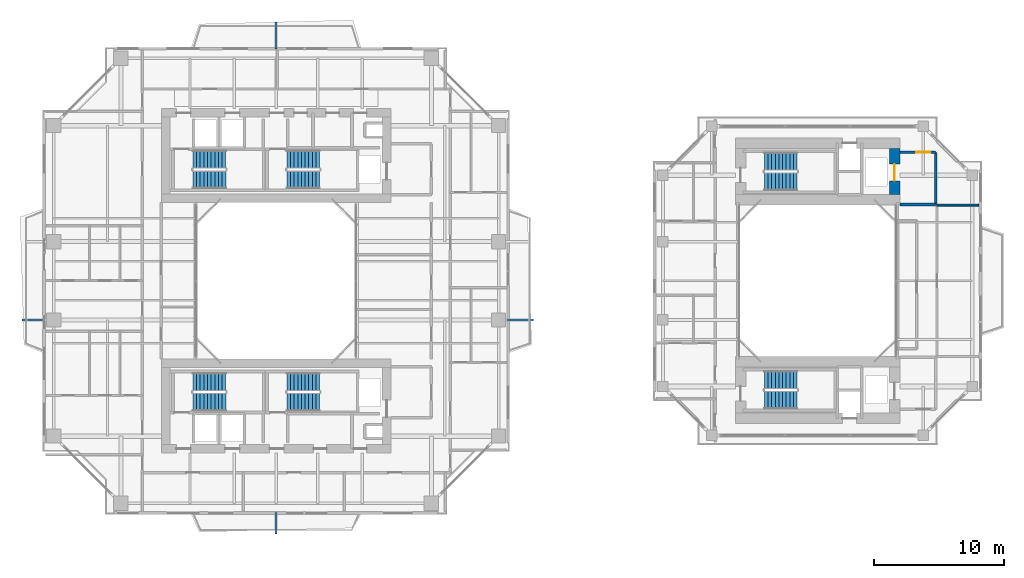
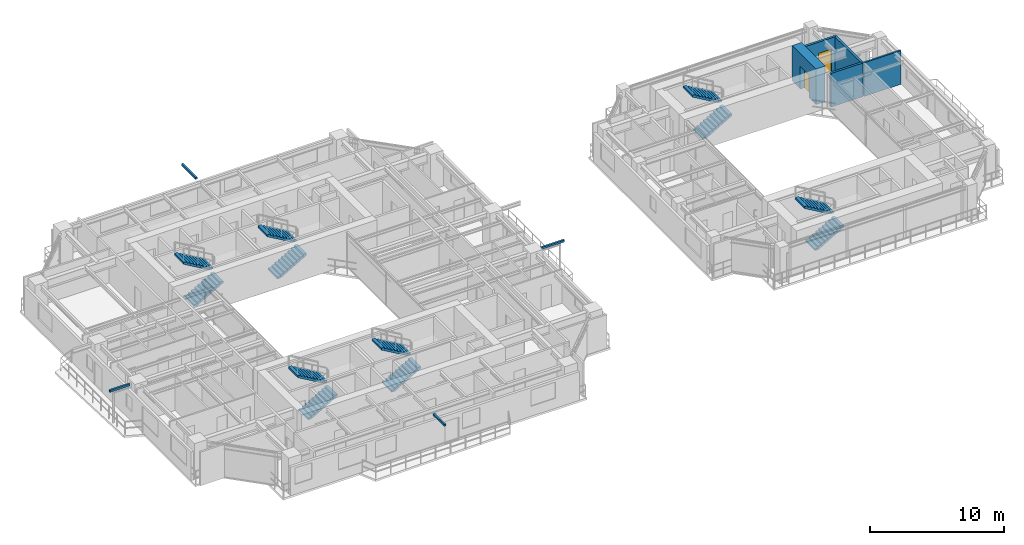
# One storey, part 20 of 24: 12 stair flights, 5 walls, 4 discrete accessories, 2 doors, 2 openings, 6 elements without a shape of their own.
"""IFC4 building model written with IfcOpenShell, lengths in metres."""

from ifc_helpers import new_model, si_unit, direction, frame, frame_2d, origin, origin_2d, place, context, subcontext, project, spatial, polyline, rectangle, outline, extrude, source, transform, mapped, material, layer, layer_set, type_object, element, fill, aggregate, save


model = new_model("IFC4")

# Units and contexts
model_context = context("Model", 3, precision=1e-05, world=origin(), true_north=direction((0.0, 1.0)))
body_context = subcontext(model_context, "Body", "Model", "MODEL_VIEW")
ifc_project = project(units=[si_unit("LENGTHUNIT", "METRE"), si_unit("AREAUNIT", "SQUARE_METRE"), si_unit("VOLUMEUNIT", "CUBIC_METRE"), si_unit("PLANEANGLEUNIT", "RADIAN"), si_unit("MASSUNIT", "GRAM", prefix="KILO"), si_unit("THERMODYNAMICTEMPERATUREUNIT", "KELVIN"), si_unit("POWERUNIT", "WATT")], contexts=[model_context])

# Site, building, storey
site_placement = place(None, origin())
site = spatial("IfcSite", under=ifc_project, at=site_placement, CompositionType="ELEMENT")
building_placement = place(site_placement, origin())
building = spatial("IfcBuilding", under=site, at=building_placement, Name="Qiaomeng Ring Towers", CompositionType="ELEMENT")
storey_placement = place(building_placement, frame((0.0, 0.0, 106.75)))
storey = spatial("IfcBuildingStorey", under=building, at=storey_placement, Name="L30", CompositionType="ELEMENT", Elevation=106.75)

# Walls
ifc_material_1 = material(Name="Autoclaved aerated concrete block", Category="concrete")
ifc_layer_1 = layer(ifc_material_1, 0.199951171875, Name="Autoclaved aerated concrete block")
ifc_layer_set_1 = layer_set([ifc_layer_1], Name="Autoclaved aerated concrete block")
wall_type_1 = type_object("IfcWallType", Name="ARC-WL-PW1", PredefinedType="PARTITIONING", material=ifc_layer_set_1)
wall_1_placement = place(storey_placement, frame((66.800048828125, 28.85009765625, 0.0), z_axis=(0.0, 0.0, 1.0), x_axis=(1.0, 0.0, 0.0)))
element("IfcWall", 1, at=wall_1_placement, inside=storey, type_object=wall_type_1, Name="L30 Interior Wall PW1", PredefinedType="PARTITIONING", context=body_context, shape_type="SweptSolid", body=[
    extrude(rectangle(XDim=2.75, YDim=0.199951171875, at=frame_2d((1.375, 0.0))), origin(), (0.0, 0.0, 1.0), 3.070068359375),
])
wall_2_placement = place(storey_placement, frame((69.550048828125, 28.85009765625, 0.0), z_axis=(0.0, 0.0, 1.0), x_axis=(0.0, 1.0, 0.0)))
element("IfcWall", 2, at=wall_2_placement, inside=storey, type_object=wall_type_1, Name="L30 Interior Wall PW1", PredefinedType="PARTITIONING", context=body_context, shape_type="SweptSolid", body=[
    extrude(rectangle(XDim=4.0, YDim=0.199951171875, at=frame_2d((2.0, 0.0))), origin(), (0.0, 0.0, 1.0), 3.070068359375),
])

# Wall, opening, door
wall_3_placement = place(storey_placement, frame((66.800048828125, 32.85009765625, 0.0), z_axis=(0.0, 0.0, 1.0), x_axis=(1.0, 0.0, 0.0)))
wall_3 = element("IfcWall", 3, at=wall_3_placement, inside=storey, type_object=wall_type_1, Name="L30 Interior Wall PW1", PredefinedType="PARTITIONING", context=body_context, shape_type="SweptSolid", body=[
    extrude(rectangle(XDim=2.75, YDim=0.199951171875, at=frame_2d((1.375, 0.0))), origin(), (0.0, 0.0, 1.0), 3.070068359375),
])
opening_1_placement = place(wall_3_placement, frame((1.25, 0.0, 0.0)))
opening_1 = element("IfcOpeningElement", 4, at=opening_1_placement, cuts=wall_3, Name="Opening FD3", PredefinedType="OPENING", context=body_context, shape_type="SweptSolid", body=[
    extrude(rectangle(XDim=1.10009765625, YDim=2.050048828125, at=frame_2d((0.550048828125, 1.02490234375))), frame((0.0, 0.10986328125, 0.0), z_axis=(0.0, -1.0, 0.0), x_axis=(1.0, 0.0, 0.0)), (0.0, 0.0, 1.0), 0.219970703125),
])
ifc_material_2 = material(Name="Galvanised steel", Category="steel")
door_type_1 = type_object("IfcDoorType", Name="ARC-DR-FD3", OperationType="NOTDEFINED", PredefinedType="DOOR", material=ifc_material_2)
shared_shape_1 = source(origin(), body_context, "Body", "SweptSolid", [
    extrude(rectangle(XDim=1.10009765625, YDim=2.050048828125, at=frame_2d((0.550048828125, 1.02490234375))), frame((0.0, 0.02490234375, 0.0), z_axis=(0.0, -1.0, 0.0), x_axis=(1.0, 0.0, 0.0)), (0.0, 0.0, 1.0), 0.050048828125),
])
door_1_placement = place(opening_1_placement, origin())
door_1 = element("IfcDoor", 5, at=door_1_placement, inside=storey, type_object=door_type_1, Name="L30 Door FD3", OperationType="SINGLE_SWING_LEFT", OverallHeight=2.050048828125, OverallWidth=1.10009765625, PredefinedType="DOOR", context=body_context, shape_type="MappedRepresentation", body=[
    mapped(shared_shape_1, transform((0.0, 0.0, 0.0), x_axis=(1.0, 0.0, 0.0), y_axis=(0.0, 1.0, 0.0), z_axis=(0.0, 0.0, 1.0), scale=1.0)),
])
fill(opening_1, door_1)

# Wall
ifc_material_3 = material(Name="Gypsum fireboard steel-stud partition", Category="steel")
ifc_layer_2 = layer(ifc_material_3, 0.14990234375, Name="Gypsum fireboard steel-stud partition")
ifc_layer_set_2 = layer_set([ifc_layer_2], Name="Gypsum fireboard steel-stud partition")
wall_type_2 = type_object("IfcWallType", Name="ARC-WL-PW3", PredefinedType="PARTITIONING", material=ifc_layer_set_2)
wall_4_placement = place(storey_placement, frame((69.64990234375, 28.800048828125, 0.0), z_axis=(0.0, 0.0, 1.0), x_axis=(1.0, 0.0, 0.0)))
element("IfcWall", 6, at=wall_4_placement, inside=storey, type_object=wall_type_2, Name="L30 Interior Wall PW3", PredefinedType="PARTITIONING", context=body_context, shape_type="SweptSolid", body=[
    extrude(rectangle(XDim=3.2001953125, YDim=0.14990234375, at=frame_2d((1.60009765625, 0.0))), origin(), (0.0, 0.0, 1.0), 3.070068359375),
])

# Wall, opening, door
ifc_material_4 = material(Name="Concrete C60", Category="concrete")
ifc_layer_3 = layer(ifc_material_4, 0.800048828125, Name="Concrete C60")
ifc_layer_set_3 = layer_set([ifc_layer_3], Name="Concrete C60")
wall_type_3 = type_object("IfcWallType", Name="STR-WL-SW1", PredefinedType="SHEAR", material=ifc_layer_set_3)
wall_5_placement = place(storey_placement, frame((66.39990234375, 29.60009765625, 0.0), z_axis=(0.0, 0.0, 1.0), x_axis=(0.0, 1.0, 0.0)))
wall_5 = element("IfcWall", 7, at=wall_5_placement, inside=storey, type_object=wall_type_3, Name="L30 T2NC east core shear wall", PredefinedType="SHEAR", context=body_context, shape_type="SweptSolid", body=[
    extrude(rectangle(XDim=3.5498046875, YDim=0.800048828125, at=frame_2d((1.77490234375, 0.0))), origin(), (0.0, 0.0, 1.0), 3.25),
])
opening_2_placement = place(wall_5_placement, frame((1.050048828125, 0.0, 0.0)))
opening_2 = element("IfcOpeningElement", 8, at=opening_2_placement, cuts=wall_5, Name="Opening LD2", PredefinedType="OPENING", context=body_context, shape_type="SweptSolid", body=[
    extrude(rectangle(XDim=1.300048828125, YDim=2.050048828125, at=frame_2d((0.64990234375, 1.02490234375))), frame((0.0, 0.409912109375, 0.0), z_axis=(0.0, -1.0, 0.0), x_axis=(1.0, 0.0, 0.0)), (0.0, 0.0, 1.0), 0.820068359375),
])
ifc_material_5 = material(Name="Stainless steel 316", Category="steel")
door_type_2 = type_object("IfcDoorType", Name="ARC-DR-LD2", OperationType="NOTDEFINED", PredefinedType="DOOR", material=ifc_material_5)
shared_shape_2 = source(origin(), body_context, "Body", "SweptSolid", [
    extrude(rectangle(XDim=1.300048828125, YDim=2.050048828125, at=frame_2d((0.64990234375, 1.02490234375))), frame((0.0, 0.02490234375, 0.0), z_axis=(0.0, -1.0, 0.0), x_axis=(1.0, 0.0, 0.0)), (0.0, 0.0, 1.0), 0.050048828125),
])
door_2_placement = place(opening_2_placement, origin())
door_2 = element("IfcDoor", 9, at=door_2_placement, inside=storey, type_object=door_type_2, Name="L30 Firefighting Lift FL3 Landing Door", OperationType="SLIDING_TO_LEFT", OverallHeight=2.050048828125, OverallWidth=1.300048828125, PredefinedType="DOOR", context=body_context, shape_type="MappedRepresentation", body=[
    mapped(shared_shape_2, transform((0.0, 0.0, 0.0), x_axis=(1.0, 0.0, 0.0), y_axis=(0.0, 1.0, 0.0), z_axis=(0.0, 0.0, 1.0), scale=1.0)),
])
fill(opening_2, door_2)

# Stair, stair flights
ifc_material_6 = material(Name="Precast concrete C40", Category="concrete")
stair_type = type_object("IfcStairType", Name="ARC-ST-325", PredefinedType="HALF_TURN_STAIR", material=ifc_material_6)
stair_1_placement = place(storey_placement, origin())
stair_1 = element("IfcStair", 10, at=stair_1_placement, inside=storey, type_object=stair_type, Name="L30 Tower 1 North Stair 1", PredefinedType="HALF_TURN_STAIR")
stair_flight_type = type_object("IfcStairFlightType", Name="ARC-ST-325-FL", PredefinedType="STRAIGHT", material=ifc_material_6)
shared_shape_3 = source(origin(), body_context, "Body", "SweptSolid", [
    extrude(outline(polyline([(0.0, 0.0), (0.0, 0.16259765625), (0.280029296875, 0.16259765625), (0.280029296875, 0.324951171875), (0.56005859375, 0.324951171875), (0.56005859375, 0.487548828125), (0.840087890625, 0.487548828125), (0.840087890625, 0.64990234375), (1.1201171875, 0.64990234375), (1.1201171875, 0.8125), (1.39990234375, 0.8125), (1.39990234375, 0.97509765625), (1.679931640625, 0.97509765625), (1.679931640625, 1.137451171875), (1.9599609375, 1.137451171875), (1.9599609375, 1.300048828125), (2.239990234375, 1.300048828125), (2.239990234375, 1.46240234375), (2.52001953125, 1.46240234375), (2.52001953125, 1.625), (2.52001953125, 1.2890625), (0.298583984375, 0.0), (0.0, 0.0)])), frame((0.0, 0.699951171875, 0.0), z_axis=(0.0, -1.0, 0.0), x_axis=(1.0, 0.0, 0.0)), (0.0, 0.0, 1.0), 1.39990234375),
])
stair_flight_1_placement = place(storey_placement, frame((12.6201171875, 30.75, 0.0), z_axis=(0.0, 0.0, 1.0), x_axis=(1.0, 0.0, 0.0)))
stair_flight_1 = element("IfcStairFlight", 11, at=stair_flight_1_placement, type_object=stair_flight_type, Name="ST1 flight 1", NumberOfRisers=10, NumberOfTreads=9, PredefinedType="STRAIGHT", RiserHeight=0.1625, TreadLength=0.28, context=body_context, shape_type="MappedRepresentation", body=[
    mapped(shared_shape_3, transform((0.0, 0.0, 0.0), x_axis=(1.0, 0.0, 0.0), y_axis=(0.0, 1.0, 0.0), z_axis=(0.0, 0.0, 1.0), scale=1.0)),
])
stair_flight_2_placement = place(storey_placement, frame((15.139892578125, 32.2900390625, 1.625), z_axis=(0.0, 0.0, 1.0), x_axis=(-1.0, 0.0, 0.0)))
stair_flight_2 = element("IfcStairFlight", 12, at=stair_flight_2_placement, type_object=stair_flight_type, Name="ST1 flight 2", NumberOfRisers=10, NumberOfTreads=9, PredefinedType="STRAIGHT", RiserHeight=0.1625, TreadLength=0.28, context=body_context, shape_type="MappedRepresentation", body=[
    mapped(shared_shape_3, transform((0.0, 0.0, 0.0), x_axis=(1.0, 0.0, 0.0), y_axis=(0.0, 1.0, 0.0), z_axis=(0.0, 0.0, 1.0), scale=1.0)),
])
aggregate(stair_1, [stair_flight_1, stair_flight_2])

stair_2_placement = place(storey_placement, origin())
stair_2 = element("IfcStair", 13, at=stair_2_placement, inside=storey, type_object=stair_type, Name="L30 Tower 1 North Stair 2", PredefinedType="HALF_TURN_STAIR")
stair_flight_3_placement = place(storey_placement, frame((19.820068359375, 30.75, 0.0), z_axis=(0.0, 0.0, 1.0), x_axis=(1.0, 0.0, 0.0)))
stair_flight_3 = element("IfcStairFlight", 14, at=stair_flight_3_placement, type_object=stair_flight_type, Name="ST2 flight 1", NumberOfRisers=10, NumberOfTreads=9, PredefinedType="STRAIGHT", RiserHeight=0.1625, TreadLength=0.28, context=body_context, shape_type="MappedRepresentation", body=[
    mapped(shared_shape_3, transform((0.0, 0.0, 0.0), x_axis=(1.0, 0.0, 0.0), y_axis=(0.0, 1.0, 0.0), z_axis=(0.0, 0.0, 1.0), scale=1.0)),
])
stair_flight_4_placement = place(storey_placement, frame((22.340087890625, 32.2900390625, 1.625), z_axis=(0.0, 0.0, 1.0), x_axis=(-1.0, 0.0, 0.0)))
stair_flight_4 = element("IfcStairFlight", 15, at=stair_flight_4_placement, type_object=stair_flight_type, Name="ST2 flight 2", NumberOfRisers=10, NumberOfTreads=9, PredefinedType="STRAIGHT", RiserHeight=0.1625, TreadLength=0.28, context=body_context, shape_type="MappedRepresentation", body=[
    mapped(shared_shape_3, transform((0.0, 0.0, 0.0), x_axis=(1.0, 0.0, 0.0), y_axis=(0.0, 1.0, 0.0), z_axis=(0.0, 0.0, 1.0), scale=1.0)),
])
aggregate(stair_2, [stair_flight_3, stair_flight_4])

stair_3_placement = place(storey_placement, origin())
stair_3 = element("IfcStair", 16, at=stair_3_placement, inside=storey, type_object=stair_type, Name="L30 Tower 1 South Stair 3", PredefinedType="HALF_TURN_STAIR")
stair_flight_5_placement = place(storey_placement, frame((12.6201171875, 13.7099609375, 0.0), z_axis=(0.0, 0.0, 1.0), x_axis=(1.0, 0.0, 0.0)))
stair_flight_5 = element("IfcStairFlight", 17, at=stair_flight_5_placement, type_object=stair_flight_type, Name="ST3 flight 1", NumberOfRisers=10, NumberOfTreads=9, PredefinedType="STRAIGHT", RiserHeight=0.1625, TreadLength=0.28, context=body_context, shape_type="MappedRepresentation", body=[
    mapped(shared_shape_3, transform((0.0, 0.0, 0.0), x_axis=(1.0, 0.0, 0.0), y_axis=(0.0, 1.0, 0.0), z_axis=(0.0, 0.0, 1.0), scale=1.0)),
])
stair_flight_6_placement = place(storey_placement, frame((15.139892578125, 15.25, 1.625), z_axis=(0.0, 0.0, 1.0), x_axis=(-1.0, 0.0, 0.0)))
stair_flight_6 = element("IfcStairFlight", 18, at=stair_flight_6_placement, type_object=stair_flight_type, Name="ST3 flight 2", NumberOfRisers=10, NumberOfTreads=9, PredefinedType="STRAIGHT", RiserHeight=0.1625, TreadLength=0.28, context=body_context, shape_type="MappedRepresentation", body=[
    mapped(shared_shape_3, transform((0.0, 0.0, 0.0), x_axis=(1.0, 0.0, 0.0), y_axis=(0.0, 1.0, 0.0), z_axis=(0.0, 0.0, 1.0), scale=1.0)),
])
aggregate(stair_3, [stair_flight_5, stair_flight_6])

stair_4_placement = place(storey_placement, origin())
stair_4 = element("IfcStair", 19, at=stair_4_placement, inside=storey, type_object=stair_type, Name="L30 Tower 1 South Stair 4", PredefinedType="HALF_TURN_STAIR")
stair_flight_7_placement = place(storey_placement, frame((19.820068359375, 13.7099609375, 0.0), z_axis=(0.0, 0.0, 1.0), x_axis=(1.0, 0.0, 0.0)))
stair_flight_7 = element("IfcStairFlight", 20, at=stair_flight_7_placement, type_object=stair_flight_type, Name="ST4 flight 1", NumberOfRisers=10, NumberOfTreads=9, PredefinedType="STRAIGHT", RiserHeight=0.1625, TreadLength=0.28, context=body_context, shape_type="MappedRepresentation", body=[
    mapped(shared_shape_3, transform((0.0, 0.0, 0.0), x_axis=(1.0, 0.0, 0.0), y_axis=(0.0, 1.0, 0.0), z_axis=(0.0, 0.0, 1.0), scale=1.0)),
])
stair_flight_8_placement = place(storey_placement, frame((22.340087890625, 15.25, 1.625), z_axis=(0.0, 0.0, 1.0), x_axis=(-1.0, 0.0, 0.0)))
stair_flight_8 = element("IfcStairFlight", 21, at=stair_flight_8_placement, type_object=stair_flight_type, Name="ST4 flight 2", NumberOfRisers=10, NumberOfTreads=9, PredefinedType="STRAIGHT", RiserHeight=0.1625, TreadLength=0.28, context=body_context, shape_type="MappedRepresentation", body=[
    mapped(shared_shape_3, transform((0.0, 0.0, 0.0), x_axis=(1.0, 0.0, 0.0), y_axis=(0.0, 1.0, 0.0), z_axis=(0.0, 0.0, 1.0), scale=1.0)),
])
aggregate(stair_4, [stair_flight_7, stair_flight_8])

stair_5_placement = place(storey_placement, origin())
stair_5 = element("IfcStair", 22, at=stair_5_placement, inside=storey, type_object=stair_type, Name="L30 Companion North Stair 5", PredefinedType="HALF_TURN_STAIR")
stair_flight_9_placement = place(storey_placement, frame((56.419921875, 30.60009765625, 0.0), z_axis=(0.0, 0.0, 1.0), x_axis=(1.0, 0.0, 0.0)))
stair_flight_9 = element("IfcStairFlight", 23, at=stair_flight_9_placement, type_object=stair_flight_type, Name="ST5 flight 1", NumberOfRisers=10, NumberOfTreads=9, PredefinedType="STRAIGHT", RiserHeight=0.1625, TreadLength=0.28, context=body_context, shape_type="MappedRepresentation", body=[
    mapped(shared_shape_3, transform((0.0, 0.0, 0.0), x_axis=(1.0, 0.0, 0.0), y_axis=(0.0, 1.0, 0.0), z_axis=(0.0, 0.0, 1.0), scale=1.0)),
])
stair_flight_10_placement = place(storey_placement, frame((58.93994140625, 32.139892578125, 1.625), z_axis=(0.0, 0.0, 1.0), x_axis=(-1.0, 0.0, 0.0)))
stair_flight_10 = element("IfcStairFlight", 24, at=stair_flight_10_placement, type_object=stair_flight_type, Name="ST5 flight 2", NumberOfRisers=10, NumberOfTreads=9, PredefinedType="STRAIGHT", RiserHeight=0.1625, TreadLength=0.28, context=body_context, shape_type="MappedRepresentation", body=[
    mapped(shared_shape_3, transform((0.0, 0.0, 0.0), x_axis=(1.0, 0.0, 0.0), y_axis=(0.0, 1.0, 0.0), z_axis=(0.0, 0.0, 1.0), scale=1.0)),
])
aggregate(stair_5, [stair_flight_9, stair_flight_10])

stair_6_placement = place(storey_placement, origin())
stair_6 = element("IfcStair", 25, at=stair_6_placement, inside=storey, type_object=stair_type, Name="L30 Companion South Stair 6", PredefinedType="HALF_TURN_STAIR")
stair_flight_11_placement = place(storey_placement, frame((56.419921875, 13.860107421875, 0.0), z_axis=(0.0, 0.0, 1.0), x_axis=(1.0, 0.0, 0.0)))
stair_flight_11 = element("IfcStairFlight", 26, at=stair_flight_11_placement, type_object=stair_flight_type, Name="ST6 flight 1", NumberOfRisers=10, NumberOfTreads=9, PredefinedType="STRAIGHT", RiserHeight=0.1625, TreadLength=0.28, context=body_context, shape_type="MappedRepresentation", body=[
    mapped(shared_shape_3, transform((0.0, 0.0, 0.0), x_axis=(1.0, 0.0, 0.0), y_axis=(0.0, 1.0, 0.0), z_axis=(0.0, 0.0, 1.0), scale=1.0)),
])
stair_flight_12_placement = place(storey_placement, frame((58.93994140625, 15.39990234375, 1.625), z_axis=(0.0, 0.0, 1.0), x_axis=(-1.0, 0.0, 0.0)))
stair_flight_12 = element("IfcStairFlight", 27, at=stair_flight_12_placement, type_object=stair_flight_type, Name="ST6 flight 2", NumberOfRisers=10, NumberOfTreads=9, PredefinedType="STRAIGHT", RiserHeight=0.1625, TreadLength=0.28, context=body_context, shape_type="MappedRepresentation", body=[
    mapped(shared_shape_3, transform((0.0, 0.0, 0.0), x_axis=(1.0, 0.0, 0.0), y_axis=(0.0, 1.0, 0.0), z_axis=(0.0, 0.0, 1.0), scale=1.0)),
])
aggregate(stair_6, [stair_flight_11, stair_flight_12])

# Discrete accessories
discrete_accessory_type = type_object("IfcDiscreteAccessoryType", Name="ARC-ACC-BRACKET", PredefinedType="BRACKET", material=ifc_material_5)
shared_shape_4 = source(origin(), body_context, "Body", "SweptSolid", [
    extrude(rectangle(XDim=0.159912109375, YDim=1.64990234375, at=origin_2d()), origin(), (0.0, 0.0, 1.0), 0.179931640625),
])
discrete_accessory_1_placement = place(storey_placement, frame((19.0, 4.425048828125, 2.89990234375), z_axis=(0.0, 0.0, 1.0), x_axis=(1.0, 0.0, 0.0)))
element("IfcDiscreteAccessory", 28, at=discrete_accessory_1_placement, inside=storey, type_object=discrete_accessory_type, Name="L30 Stainless Outer-Skin Tie Bracket S", PredefinedType="BRACKET", context=body_context, shape_type="MappedRepresentation", body=[
    mapped(shared_shape_4, transform((0.0, 0.0, 0.0), x_axis=(1.0, 0.0, 0.0), y_axis=(0.0, 1.0, 0.0), z_axis=(0.0, 0.0, 1.0), scale=1.0)),
])
shared_shape_5 = source(origin(), body_context, "Body", "SweptSolid", [
    extrude(rectangle(XDim=1.989990234375, YDim=0.159912109375, at=origin_2d()), origin(), (0.0, 0.0, 1.0), 0.179931640625),
])
discrete_accessory_2_placement = place(storey_placement, frame((37.7451171875, 20.0, 2.89990234375), z_axis=(0.0, 0.0, 1.0), x_axis=(1.0, 0.0, 0.0)))
element("IfcDiscreteAccessory", 29, at=discrete_accessory_2_placement, inside=storey, type_object=discrete_accessory_type, Name="L30 Stainless Outer-Skin Tie Bracket E", PredefinedType="BRACKET", context=body_context, shape_type="MappedRepresentation", body=[
    mapped(shared_shape_5, transform((0.0, 0.0, 0.0), x_axis=(1.0, 0.0, 0.0), y_axis=(0.0, 1.0, 0.0), z_axis=(0.0, 0.0, 1.0), scale=1.0)),
])
shared_shape_6 = source(origin(), body_context, "Body", "SweptSolid", [
    extrude(rectangle(XDim=0.159912109375, YDim=2.090087890625, at=origin_2d()), origin(), (0.0, 0.0, 1.0), 0.179931640625),
])
discrete_accessory_3_placement = place(storey_placement, frame((19.0, 41.794921875, 2.89990234375), z_axis=(0.0, 0.0, 1.0), x_axis=(1.0, 0.0, 0.0)))
element("IfcDiscreteAccessory", 30, at=discrete_accessory_3_placement, inside=storey, type_object=discrete_accessory_type, Name="L30 Stainless Outer-Skin Tie Bracket N", PredefinedType="BRACKET", context=body_context, shape_type="MappedRepresentation", body=[
    mapped(shared_shape_6, transform((0.0, 0.0, 0.0), x_axis=(1.0, 0.0, 0.0), y_axis=(0.0, 1.0, 0.0), z_axis=(0.0, 0.0, 1.0), scale=1.0)),
])
shared_shape_7 = source(origin(), body_context, "Body", "SweptSolid", [
    extrude(rectangle(XDim=1.72998046875, YDim=0.159912109375, at=origin_2d()), origin(), (0.0, 0.0, 1.0), 0.179931640625),
])
discrete_accessory_4_placement = place(storey_placement, frame((0.385009765625, 20.0, 2.89990234375), z_axis=(0.0, 0.0, 1.0), x_axis=(1.0, 0.0, 0.0)))
element("IfcDiscreteAccessory", 31, at=discrete_accessory_4_placement, inside=storey, type_object=discrete_accessory_type, Name="L30 Stainless Outer-Skin Tie Bracket W", PredefinedType="BRACKET", context=body_context, shape_type="MappedRepresentation", body=[
    mapped(shared_shape_7, transform((0.0, 0.0, 0.0), x_axis=(1.0, 0.0, 0.0), y_axis=(0.0, 1.0, 0.0), z_axis=(0.0, 0.0, 1.0), scale=1.0)),
])

save(model, "model.ifc")
